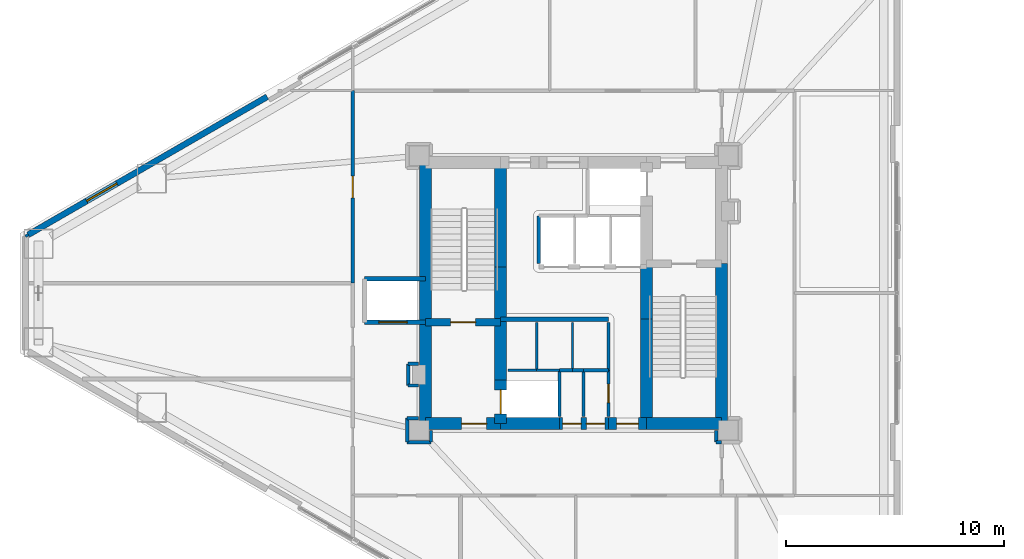
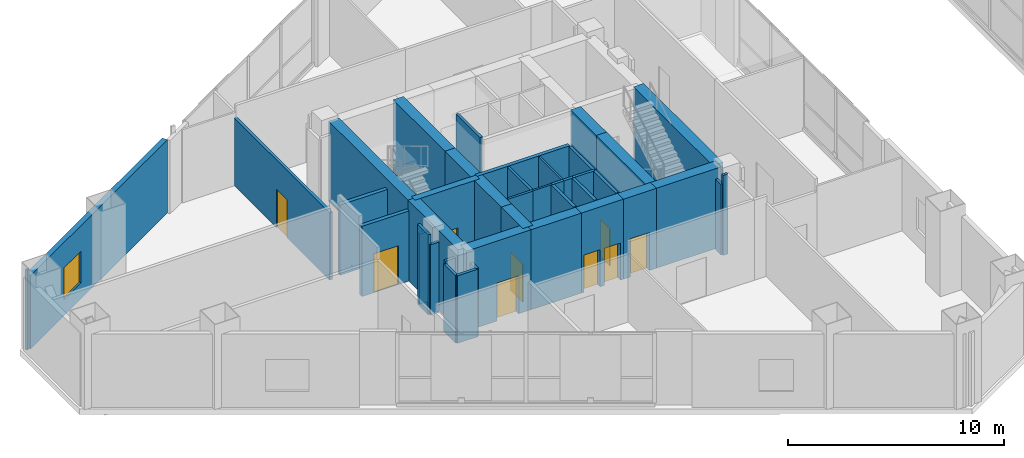
# One storey, part 21 of 27: 42 walls, 9 doors, 1 window, 10 openings.
"""IFC4 building model written with IfcOpenShell, lengths in metres."""

from ifc_helpers import new_model, si_unit, direction, frame, frame_2d, origin, place, context, subcontext, project, spatial, rectangle, extrude, material, layer, layer_set, type_object, element, fill, save


model = new_model("IFC4")

# Units and contexts
model_context = context("Model", 3, precision=1e-05, world=origin(), true_north=direction((0.0, 1.0)))
body_context = subcontext(model_context, "Body", "Model", "MODEL_VIEW")
ifc_project = project(units=[si_unit("LENGTHUNIT", "METRE"), si_unit("AREAUNIT", "SQUARE_METRE"), si_unit("VOLUMEUNIT", "CUBIC_METRE"), si_unit("PLANEANGLEUNIT", "RADIAN"), si_unit("MASSUNIT", "GRAM", prefix="KILO")], contexts=[model_context])

# Site, building, storey
site_placement = place(None, origin())
site = spatial("IfcSite", under=ifc_project, at=site_placement, CompositionType="ELEMENT")
building_placement = place(site_placement, origin())
building = spatial("IfcBuilding", under=site, at=building_placement, Name="Mersakhor Tower and Convention Hall", CompositionType="ELEMENT")
storey_placement = place(building_placement, frame((0.0, 0.0, 14.39990234375)))
storey = spatial("IfcBuildingStorey", under=building, at=storey_placement, Name="L03", CompositionType="ELEMENT", Elevation=14.39990234375)

# Wall, opening, window
ifc_material_1 = material(Name="Precast concrete C45/55", Category="concrete")
ifc_layer_1 = layer(ifc_material_1, 0.27490234375)
ifc_layer_set_1 = layer_set([ifc_layer_1], Name="Precast concrete C45/55")
wall_type_1 = type_object("IfcWallType", Name="WL-EXT-275", PredefinedType="SOLIDWALL", material=ifc_layer_set_1)
wall_1_placement = place(storey_placement, frame((3.943115234375, 29.4306640625, 0.0), z_axis=(0.0, 0.0, 1.0), x_axis=(0.866027105532, 0.499997052475, 0.0)))
wall_1 = element("IfcWall", 1, at=wall_1_placement, inside=storey, type_object=wall_type_1, Name="L03 Exterior Facade Wall F1-B1", PredefinedType="SOLIDWALL", context=body_context, shape_type="SweptSolid", body=[
    extrude(rectangle(XDim=12.6728515625, YDim=0.27490234375, at=frame_2d((6.33642578125, 0.0))), origin(), (0.0, 0.0, 1.0), 4.14013671875),
])
opening_1_placement = place(wall_1_placement, frame((3.10009765625, 0.0, 0.89990234375)))
opening_1 = element("IfcOpeningElement", 2, at=opening_1_placement, cuts=wall_1, Name="Opening W-07", PredefinedType="OPENING", context=body_context, shape_type="SweptSolid", body=[
    extrude(rectangle(XDim=1.60009765625, YDim=1.800048828125, at=frame_2d((0.800048828125, 0.89990234375))), frame((0.0, 0.1474609375, 0.0), z_axis=(0.0, -1.0, 0.0), x_axis=(1.0, 0.0, 0.0)), (0.0, 0.0, 1.0), 0.294921875),
])
ifc_material_2 = material(Name="Dark solar low-E glazed aluminium window", Category="aluminium")
window_type = type_object("IfcWindowType", Name="WN-CLN-160x180", PartitioningType="SINGLE_PANEL", PredefinedType="WINDOW", material=ifc_material_2)
window_placement = place(opening_1_placement, origin())
window = element("IfcWindow", 3, at=window_placement, inside=storey, type_object=window_type, Name="L03 Facade Punched Window F1-B1", OverallHeight=1.800048828125, OverallWidth=1.60009765625, PartitioningType="SINGLE_PANEL", PredefinedType="WINDOW", context=body_context, shape_type="SweptSolid", body=[
    extrude(rectangle(XDim=1.60009765625, YDim=1.800048828125, at=frame_2d((0.800048828125, 0.89990234375))), frame((0.0, 0.030029296875, 0.0), z_axis=(0.0, -1.0, 0.0), x_axis=(1.0, 0.0, 0.0)), (0.0, 0.0, 1.0), 0.06005859375),
])
fill(opening_1, window)

# Walls
ifc_material_3 = material(Name="Lightweight gypsum partition", Category="other")
ifc_layer_2 = layer(ifc_material_3, 0.10009765625)
ifc_layer_set_2 = layer_set([ifc_layer_2], Name="Lightweight gypsum partition")
wall_type_2 = type_object("IfcWallType", Name="WL-PRT-100", PredefinedType="PARTITIONING", material=ifc_layer_set_2)
wall_2_placement = place(storey_placement, frame((27.300048828125, 23.199951171875, 0.0), z_axis=(0.0, 0.0, 1.0), x_axis=(1.0, 0.0, 0.0)))
element("IfcWall", 4, at=wall_2_placement, inside=storey, type_object=wall_type_2, Name="L03 Interior Partition Wall P-002", PredefinedType="PARTITIONING", context=body_context, shape_type="SweptSolid", body=[
    extrude(rectangle(XDim=1.050048828125, YDim=0.10009765625, at=frame_2d((0.52490234375, 0.0))), origin(), (0.0, 0.0, 1.0), 4.52001953125),
])
wall_3_placement = place(storey_placement, frame((28.949951171875, 25.39990234375, 0.0), z_axis=(0.0, 0.0, 1.0), x_axis=(0.0, -1.0, 0.0)))
element("IfcWall", 5, at=wall_3_placement, inside=storey, type_object=wall_type_2, Name="L03 Interior Partition Wall P-008", PredefinedType="PARTITIONING", context=body_context, shape_type="SweptSolid", body=[
    extrude(rectangle(XDim=2.199951171875, YDim=0.10009765625, at=frame_2d((1.10009765625, 0.0))), origin(), (0.0, 0.0, 1.0), 4.52001953125),
])
ifc_material_4 = material(Name="Gypsum board acoustic partition", Category="other")
ifc_layer_3 = layer(ifc_material_4, 0.125)
ifc_layer_set_3 = layer_set([ifc_layer_3], Name="Gypsum board acoustic partition")
wall_type_3 = type_object("IfcWallType", Name="WL-PRT-125", PredefinedType="PARTITIONING", material=ifc_layer_set_3)
wall_4_placement = place(storey_placement, frame((25.97509765625, 23.199951171875, 0.0), z_axis=(0.0, 0.0, 1.0), x_axis=(1.0, 0.0, 0.0)))
element("IfcWall", 6, at=wall_4_placement, inside=storey, type_object=wall_type_3, Name="L03 Interior Partition Wall P-001", PredefinedType="PARTITIONING", context=body_context, shape_type="SweptSolid", body=[
    extrude(rectangle(XDim=1.324951171875, YDim=0.125, at=frame_2d((0.66259765625, 0.0))), origin(), (0.0, 0.0, 1.0), 4.52001953125),
])
wall_5_placement = place(storey_placement, frame((27.300048828125, 25.39990234375, 0.0), z_axis=(0.0, 0.0, 1.0), x_axis=(0.0, -1.0, 0.0)))
element("IfcWall", 7, at=wall_5_placement, inside=storey, type_object=wall_type_3, Name="L03 Interior Partition Wall P-007", PredefinedType="PARTITIONING", context=body_context, shape_type="SweptSolid", body=[
    extrude(rectangle(XDim=2.199951171875, YDim=0.125, at=frame_2d((1.10009765625, 0.0))), origin(), (0.0, 0.0, 1.0), 4.52001953125),
])
wall_6_placement = place(storey_placement, frame((3.81298828125, 29.35595703125, 0.0), z_axis=(0.0, 0.0, 1.0), x_axis=(0.866131372301, 0.499816412211, 0.0)))
element("IfcWall", 8, at=wall_6_placement, inside=storey, type_object=wall_type_3, Name="L03 Interior Partition Wall P-103", PredefinedType="PARTITIONING", context=body_context, shape_type="SweptSolid", body=[
    extrude(rectangle(XDim=0.14990234375, YDim=0.125, at=frame_2d((0.074951171875, 0.0))), origin(), (0.0, 0.0, 1.0), 4.52001953125),
])
ifc_material_5 = material(Name="Fire-rated gypsum board stud partition", Category="other")
ifc_layer_4 = layer(ifc_material_5, 0.14990234375)
ifc_layer_set_4 = layer_set([ifc_layer_4], Name="Fire-rated gypsum board stud partition")
wall_type_4 = type_object("IfcWallType", Name="WL-PRT-150", PredefinedType="PARTITIONING", material=ifc_layer_set_4)
wall_7_placement = place(storey_placement, frame((28.35009765625, 23.199951171875, 0.0), z_axis=(0.0, 0.0, 1.0), x_axis=(0.0, -1.0, 0.0)))
element("IfcWall", 9, at=wall_7_placement, inside=storey, type_object=wall_type_4, Name="L03 Interior Partition Wall P-003", PredefinedType="PARTITIONING", context=body_context, shape_type="SweptSolid", body=[
    extrude(rectangle(XDim=2.125, YDim=0.14990234375, at=frame_2d((1.0625, 0.0))), origin(), (0.0, 0.0, 1.0), 4.52001953125),
])
wall_8_placement = place(storey_placement, frame((28.949951171875, 23.199951171875, 0.0), z_axis=(0.0, 0.0, 1.0), x_axis=(-1.0, 0.0, 0.0)))
element("IfcWall", 10, at=wall_8_placement, inside=storey, type_object=wall_type_4, Name="L03 Interior Partition Wall P-009", PredefinedType="PARTITIONING", context=body_context, shape_type="SweptSolid", body=[
    extrude(rectangle(XDim=0.599853515625, YDim=0.14990234375, at=frame_2d((0.2998046875, 0.0))), origin(), (0.0, 0.0, 1.0), 4.52001953125),
])
wall_9_placement = place(storey_placement, frame((30.60009765625, 25.39990234375, 0.0), z_axis=(0.0, 0.0, 1.0), x_axis=(0.0, -1.0, 0.0)))
element("IfcWall", 11, at=wall_9_placement, inside=storey, type_object=wall_type_4, Name="L03 Interior Partition Wall P-010", PredefinedType="PARTITIONING", context=body_context, shape_type="SweptSolid", body=[
    extrude(rectangle(XDim=2.199951171875, YDim=0.14990234375, at=frame_2d((1.10009765625, 0.0))), origin(), (0.0, 0.0, 1.0), 4.52001953125),
])
wall_10_placement = place(storey_placement, frame((30.60009765625, 23.199951171875, 0.0), z_axis=(0.0, 0.0, 1.0), x_axis=(-1.0, 0.0, 0.0)))
element("IfcWall", 12, at=wall_10_placement, inside=storey, type_object=wall_type_4, Name="L03 Interior Partition Wall P-011", PredefinedType="PARTITIONING", context=body_context, shape_type="SweptSolid", body=[
    extrude(rectangle(XDim=1.150146484375, YDim=0.14990234375, at=frame_2d((0.5751953125, 0.0))), origin(), (0.0, 0.0, 1.0), 4.52001953125),
])
wall_11_placement = place(storey_placement, frame((29.449951171875, 23.199951171875, 0.0), z_axis=(0.0, 0.0, 1.0), x_axis=(-1.0, 0.0, 0.0)))
element("IfcWall", 13, at=wall_11_placement, inside=storey, type_object=wall_type_4, Name="L03 Interior Partition Wall P-012", PredefinedType="PARTITIONING", context=body_context, shape_type="SweptSolid", body=[
    extrude(rectangle(XDim=0.5, YDim=0.14990234375, at=frame_2d((0.25, 0.0))), origin(), (0.0, 0.0, 1.0), 4.52001953125),
])
wall_12_placement = place(storey_placement, frame((27.39990234375, 28.10009765625, 0.0), z_axis=(0.0, 0.0, 1.0), x_axis=(0.0, 1.0, 0.0)))
element("IfcWall", 14, at=wall_12_placement, inside=storey, type_object=wall_type_4, Name="L03 Interior Partition Wall P-015", PredefinedType="PARTITIONING", context=body_context, shape_type="SweptSolid", body=[
    extrude(rectangle(XDim=2.199951171875, YDim=0.14990234375, at=frame_2d((1.10009765625, 0.0))), origin(), (0.0, 0.0, 1.0), 4.52001953125),
])

# Wall, opening, door
wall_13_placement = place(storey_placement, frame((30.60009765625, 21.074951171875, 0.0), z_axis=(0.0, 0.0, 1.0), x_axis=(0.0, 1.0, 0.0)))
wall_13 = element("IfcWall", 15, at=wall_13_placement, inside=storey, type_object=wall_type_4, Name="L03 Interior Partition Wall P-018", PredefinedType="PARTITIONING", context=body_context, shape_type="SweptSolid", body=[
    extrude(rectangle(XDim=2.125, YDim=0.14990234375, at=frame_2d((1.0625, 0.0))), origin(), (0.0, 0.0, 1.0), 4.52001953125),
])
opening_2_placement = place(wall_13_placement, frame((0.637451171875, 0.0, 0.0)))
opening_2 = element("IfcOpeningElement", 16, at=opening_2_placement, cuts=wall_13, Name="Opening SVD-01", PredefinedType="OPENING", context=body_context, shape_type="SweptSolid", body=[
    extrude(rectangle(XDim=0.85009765625, YDim=2.10009765625, at=frame_2d((0.425048828125, 1.050048828125))), frame((0.0, 0.0849609375, 0.0), z_axis=(0.0, -1.0, 0.0), x_axis=(1.0, 0.0, 0.0)), (0.0, 0.0, 1.0), 0.169921875),
])
ifc_material_6 = material(Name="Fire-rated hardwood leaf and painted steel frame", Category="steel")
door_type_1 = type_object("IfcDoorType", Name="DR-INT-SVC-085x210", OperationType="NOTDEFINED", PredefinedType="DOOR", material=ifc_material_6)
door_1_placement = place(opening_2_placement, origin())
door_1 = element("IfcDoor", 17, at=door_1_placement, inside=storey, type_object=door_type_1, Name="L03 Central Passenger Lift Lobby to Core Maintenance Store Room Door", OperationType="SINGLE_SWING_RIGHT", OverallHeight=2.10009765625, OverallWidth=0.85009765625, PredefinedType="DOOR", context=body_context, shape_type="SweptSolid", body=[
    extrude(rectangle(XDim=0.85009765625, YDim=2.10009765625, at=frame_2d((0.425048828125, 1.050048828125))), frame((0.0, 0.02490234375, 0.0), z_axis=(0.0, -1.0, 0.0), x_axis=(1.0, 0.0, 0.0)), (0.0, 0.0, 1.0), 0.050048828125),
])
fill(opening_2, door_1)

# Walls
wall_14_placement = place(storey_placement, frame((21.875, 21.0, 0.0), z_axis=(0.0, 0.0, 1.0), x_axis=(-1.0, 0.0, 0.0)))
element("IfcWall", 18, at=wall_14_placement, inside=storey, type_object=wall_type_4, Name="L03 Interior Partition Wall P-036", PredefinedType="PARTITIONING", context=body_context, shape_type="SweptSolid", body=[
    extrude(rectangle(XDim=0.52490234375, YDim=0.14990234375, at=frame_2d((0.262451171875, 0.0))), origin(), (0.0, 0.0, 1.0), 3.968505859375),
])
wall_15_placement = place(storey_placement, frame((21.35009765625, 21.0, 0.0), z_axis=(0.0, 0.0, 1.0), x_axis=(0.0, -1.0, 0.0)))
element("IfcWall", 19, at=wall_15_placement, inside=storey, type_object=wall_type_4, Name="L03 Interior Partition Wall P-037", PredefinedType="PARTITIONING", context=body_context, shape_type="SweptSolid", body=[
    extrude(rectangle(XDim=1.10009765625, YDim=0.14990234375, at=frame_2d((0.550048828125, 0.0))), origin(), (0.0, 0.0, 1.0), 3.817626953125),
])
wall_16_placement = place(storey_placement, frame((21.35009765625, 19.89990234375, 0.0), z_axis=(0.0, 0.0, 1.0), x_axis=(1.0, 0.0, 0.0)))
element("IfcWall", 20, at=wall_16_placement, inside=storey, type_object=wall_type_4, Name="L03 Interior Partition Wall P-038", PredefinedType="PARTITIONING", context=body_context, shape_type="SweptSolid", body=[
    extrude(rectangle(XDim=1.099853515625, YDim=0.14990234375, at=frame_2d((0.5498046875, 0.0))), origin(), (0.0, 0.0, 1.0), 3.817626953125),
])
wall_17_placement = place(storey_placement, frame((22.449951171875, 19.89990234375, 0.0), z_axis=(0.0, 0.0, 1.0), x_axis=(0.0, 1.0, 0.0)))
element("IfcWall", 21, at=wall_17_placement, inside=storey, type_object=wall_type_4, Name="L03 Interior Partition Wall P-039", PredefinedType="PARTITIONING", context=body_context, shape_type="SweptSolid", body=[
    extrude(rectangle(XDim=0.525146484375, YDim=0.14990234375, at=frame_2d((0.2626953125, 0.0))), origin(), (0.0, 0.0, 1.0), 3.817626953125),
])
wall_18_placement = place(storey_placement, frame((35.550048828125, 20.425048828125, 0.0), z_axis=(0.0, 0.0, 1.0), x_axis=(0.0, -1.0, 0.0)))
element("IfcWall", 22, at=wall_18_placement, inside=storey, type_object=wall_type_4, Name="L03 Interior Partition Wall P-040", PredefinedType="PARTITIONING", context=body_context, shape_type="SweptSolid", body=[
    extrude(rectangle(XDim=0.525146484375, YDim=0.14990234375, at=frame_2d((0.2626953125, 0.0))), origin(), (0.0, 0.0, 1.0), 3.968505859375),
])
wall_19_placement = place(storey_placement, frame((35.550048828125, 19.89990234375, 0.0), z_axis=(0.0, 0.0, 1.0), x_axis=(1.0, 0.0, 0.0)))
element("IfcWall", 23, at=wall_19_placement, inside=storey, type_object=wall_type_4, Name="L03 Interior Partition Wall P-041", PredefinedType="PARTITIONING", context=body_context, shape_type="SweptSolid", body=[
    extrude(rectangle(XDim=0.25, YDim=0.14990234375, at=frame_2d((0.125, 0.0))), origin(), (0.0, 0.0, 1.0), 4.52001953125),
])

# Wall, opening, door
wall_20_placement = place(storey_placement, frame((18.85009765625, 27.199951171875, 0.0), z_axis=(0.0, 0.0, 1.0), x_axis=(0.0, 1.0, 0.0)))
wall_20 = element("IfcWall", 24, at=wall_20_placement, inside=storey, type_object=wall_type_4, Name="L03 Interior Partition Wall P-048", PredefinedType="PARTITIONING", context=body_context, shape_type="SweptSolid", body=[
    extrude(rectangle(XDim=8.85009765625, YDim=0.14990234375, at=frame_2d((4.425048828125, 0.0))), origin(), (0.0, 0.0, 1.0), 3.817626953125),
])
opening_3_placement = place(wall_20_placement, frame((3.925048828125, 0.0, 0.0)))
opening_3 = element("IfcOpeningElement", 25, at=opening_3_placement, cuts=wall_20, Name="Opening FD-01", PredefinedType="OPENING", context=body_context, shape_type="SweptSolid", body=[
    extrude(rectangle(XDim=1.0, YDim=2.14990234375, at=frame_2d((0.5, 1.074951171875))), frame((0.0, 0.0849609375, 0.0), z_axis=(0.0, -1.0, 0.0), x_axis=(1.0, 0.0, 0.0)), (0.0, 0.0, 1.0), 0.169921875),
])
ifc_material_7 = material(Name="Fire-rated hardwood leaf and painted steel frame", Category="steel")
door_type_2 = type_object("IfcDoorType", Name="DR-INT-FLT-100x215", OperationType="NOTDEFINED", PredefinedType="DOOR", material=ifc_material_7)
door_2_placement = place(opening_3_placement, origin())
door_2 = element("IfcDoor", 26, at=door_2_placement, inside=storey, type_object=door_type_2, Name="L03 L03 Primary Healthcare Clinical Corridor to Medical Records Administration Office Door", OperationType="SINGLE_SWING_LEFT", OverallHeight=2.14990234375, OverallWidth=1.0, PredefinedType="DOOR", context=body_context, shape_type="SweptSolid", body=[
    extrude(rectangle(XDim=1.0, YDim=2.14990234375, at=frame_2d((0.5, 1.074951171875))), frame((0.0, 0.02490234375, 0.0), z_axis=(0.0, -1.0, 0.0), x_axis=(1.0, 0.0, 0.0)), (0.0, 0.0, 1.0), 0.050048828125),
])
fill(opening_3, door_2)

# Walls
wall_21_placement = place(storey_placement, frame((21.875, 23.5, 0.0), z_axis=(0.0, 0.0, 1.0), x_axis=(-1.0, 0.0, 0.0)))
element("IfcWall", 27, at=wall_21_placement, inside=storey, type_object=wall_type_4, Name="L03 Interior Partition Wall P-059", PredefinedType="PARTITIONING", context=body_context, shape_type="SweptSolid", body=[
    extrude(rectangle(XDim=0.47509765625, YDim=0.14990234375, at=frame_2d((0.237548828125, 0.0))), origin(), (0.0, 0.0, 1.0), 3.968505859375),
])
wall_22_placement = place(storey_placement, frame((21.39990234375, 23.5, 0.0), z_axis=(0.0, 0.0, 1.0), x_axis=(0.0, -1.0, 0.0)))
element("IfcWall", 28, at=wall_22_placement, inside=storey, type_object=wall_type_4, Name="L03 Interior Partition Wall P-060", PredefinedType="PARTITIONING", context=body_context, shape_type="SweptSolid", body=[
    extrude(rectangle(XDim=1.0, YDim=0.14990234375, at=frame_2d((0.5, 0.0))), origin(), (0.0, 0.0, 1.0), 4.52001953125),
])
wall_23_placement = place(storey_placement, frame((21.39990234375, 22.5, 0.0), z_axis=(0.0, 0.0, 1.0), x_axis=(1.0, 0.0, 0.0)))
element("IfcWall", 29, at=wall_23_placement, inside=storey, type_object=wall_type_4, Name="L03 Interior Partition Wall P-061", PredefinedType="PARTITIONING", context=body_context, shape_type="SweptSolid", body=[
    extrude(rectangle(XDim=0.47509765625, YDim=0.14990234375, at=frame_2d((0.237548828125, 0.0))), origin(), (0.0, 0.0, 1.0), 3.968505859375),
])
wall_24_placement = place(storey_placement, frame((29.449951171875, 23.199951171875, 0.0), z_axis=(0.0, 0.0, 1.0), x_axis=(0.0, -1.0, 0.0)))
element("IfcWall", 30, at=wall_24_placement, inside=storey, type_object=wall_type_4, Name="L03 Interior Partition Wall P-083", PredefinedType="PARTITIONING", context=body_context, shape_type="SweptSolid", body=[
    extrude(rectangle(XDim=2.125, YDim=0.14990234375, at=frame_2d((1.0625, 0.0))), origin(), (0.0, 0.0, 1.0), 4.52001953125),
])
ifc_material_8 = material(Name="Acoustic concrete blockwork and gypsum board", Category="masonry")
ifc_layer_5 = layer(ifc_material_8, 0.199951171875)
ifc_layer_set_5 = layer_set([ifc_layer_5], Name="Acoustic concrete blockwork and gypsum board")
wall_type_5 = type_object("IfcWallType", Name="WL-PRT-200", PredefinedType="PARTITIONING", material=ifc_layer_set_5)
wall_25_placement = place(storey_placement, frame((25.64990234375, 25.550048828125, 0.0), z_axis=(0.0, 0.0, 1.0), x_axis=(1.0, 0.0, 0.0)))
element("IfcWall", 31, at=wall_25_placement, inside=storey, type_object=wall_type_5, Name="L03 High-Rise Lift Bank Front Wall", PredefinedType="PARTITIONING", context=body_context, shape_type="SweptSolid", body=[
    extrude(rectangle(XDim=4.9501953125, YDim=0.199951171875, at=frame_2d((2.47509765625, 0.0))), origin(), (0.0, 0.0, 1.0), 4.52001953125),
])
wall_26_placement = place(storey_placement, frame((19.39990234375, 27.39990234375, 0.0), z_axis=(0.0, 0.0, 1.0), x_axis=(1.0, 0.0, 0.0)))
element("IfcWall", 32, at=wall_26_placement, inside=storey, type_object=wall_type_5, Name="L03 Clinic Lift North Wall", PredefinedType="PARTITIONING", context=body_context, shape_type="SweptSolid", body=[
    extrude(rectangle(XDim=2.800048828125, YDim=0.199951171875, at=frame_2d((1.39990234375, 0.0))), origin(), (0.0, 0.0, 1.0), 3.968505859375),
])

# Wall, opening, door
wall_27_placement = place(storey_placement, frame((22.199951171875, 25.39990234375, 0.0), z_axis=(0.0, 0.0, 1.0), x_axis=(-1.0, 0.0, 0.0)))
wall_27 = element("IfcWall", 33, at=wall_27_placement, inside=storey, type_object=wall_type_5, Name="L03 Clinic Lift Front Wall", PredefinedType="PARTITIONING", context=body_context, shape_type="SweptSolid", body=[
    extrude(rectangle(XDim=2.800048828125, YDim=0.199951171875, at=frame_2d((1.39990234375, 0.0))), origin(), (0.0, 0.0, 1.0), 3.968505859375),
])
opening_4_placement = place(wall_27_placement, frame((0.85009765625, 0.0, 0.0)))
opening_4 = element("IfcOpeningElement", 34, at=opening_4_placement, cuts=wall_27, Name="Opening LD-CL1", PredefinedType="OPENING", context=body_context, shape_type="SweptSolid", body=[
    extrude(rectangle(XDim=1.300048828125, YDim=2.199951171875, at=frame_2d((0.64990234375, 1.10009765625))), frame((0.0, 0.10986328125, 0.0), z_axis=(0.0, -1.0, 0.0), x_axis=(1.0, 0.0, 0.0)), (0.0, 0.0, 1.0), 0.219970703125),
])
ifc_material_9 = material(Name="Fire-rated brushed stainless steel sliding landing door", Category="steel")
door_type_3 = type_object("IfcDoorType", Name="DR-LIFT-SLD-130x220", OperationType="NOTDEFINED", PredefinedType="DOOR", material=ifc_material_9)
door_3_placement = place(opening_4_placement, origin())
door_3 = element("IfcDoor", 35, at=door_3_placement, inside=storey, type_object=door_type_3, Name="L03 Clinic Stretcher Lift Landing Door LD-CL1", OperationType="SLIDING_TO_LEFT", OverallHeight=2.199951171875, OverallWidth=1.300048828125, PredefinedType="DOOR", context=body_context, shape_type="SweptSolid", body=[
    extrude(rectangle(XDim=1.300048828125, YDim=2.199951171875, at=frame_2d((0.64990234375, 1.10009765625))), frame((0.0, 0.02490234375, 0.0), z_axis=(0.0, -1.0, 0.0), x_axis=(1.0, 0.0, 0.0)), (0.0, 0.0, 1.0), 0.050048828125),
])
fill(opening_4, door_3)

ifc_material_10 = material(Name="Concrete C50/60", Category="concrete")
ifc_layer_6 = layer(ifc_material_10, 0.35009765625)
ifc_layer_set_6 = layer_set([ifc_layer_6], Name="Concrete C50/60")
wall_type_6 = type_object("IfcWallType", Name="WL-SHR-350", PredefinedType="SHEAR", material=ifc_layer_set_6)
wall_28_placement = place(storey_placement, frame((22.199951171875, 25.39990234375, 0.0), z_axis=(0.0, 0.0, 1.0), x_axis=(1.0, 0.0, 0.0)))
wall_28 = element("IfcWall", 36, at=wall_28_placement, inside=storey, type_object=wall_type_6, Name="L03 Core Wall CS-ST1-S", PredefinedType="SHEAR", context=body_context, shape_type="SweptSolid", body=[
    extrude(rectangle(XDim=3.449951171875, YDim=0.35009765625, at=frame_2d((1.72509765625, 0.0))), origin(), (0.0, 0.0, 1.0), 4.52001953125),
])
opening_5_placement = place(wall_28_placement, frame((1.14990234375, 0.0, 0.0)))
opening_5 = element("IfcOpeningElement", 37, at=opening_5_placement, cuts=wall_28, Name="Opening SD-01", PredefinedType="OPENING", context=body_context, shape_type="SweptSolid", body=[
    extrude(rectangle(XDim=1.14990234375, YDim=2.14990234375, at=frame_2d((0.574951171875, 1.074951171875))), frame((0.0, 0.18505859375, 0.0), z_axis=(0.0, -1.0, 0.0), x_axis=(1.0, 0.0, 0.0)), (0.0, 0.0, 1.0), 0.3701171875),
])
ifc_material_11 = material(Name="Fire-rated hardwood leaf and painted steel frame", Category="steel")
door_type_4 = type_object("IfcDoorType", Name="DR-INT-STAIR-115x215", OperationType="NOTDEFINED", PredefinedType="DOOR", material=ifc_material_11)
door_4_placement = place(opening_5_placement, origin())
door_4 = element("IfcDoor", 38, at=door_4_placement, inside=storey, type_object=door_type_4, Name="L03 Exit Stair ST-1 Enclosure Door", OperationType="SINGLE_SWING_LEFT", OverallHeight=2.14990234375, OverallWidth=1.14990234375, PredefinedType="DOOR", context=body_context, shape_type="SweptSolid", body=[
    extrude(rectangle(XDim=1.14990234375, YDim=2.14990234375, at=frame_2d((0.574951171875, 1.074951171875))), frame((0.0, 0.02490234375, 0.0), z_axis=(0.0, -1.0, 0.0), x_axis=(1.0, 0.0, 0.0)), (0.0, 0.0, 1.0), 0.050048828125),
])
fill(opening_5, door_4)

# Walls
ifc_material_12 = material(Name="Concrete C70/85", Category="concrete")
ifc_layer_7 = layer(ifc_material_12, 0.550048828125)
ifc_layer_set_7 = layer_set([ifc_layer_7], Name="Concrete C70/85")
wall_type_7 = type_object("IfcWallType", Name="WL-SHR-550", PredefinedType="SHEAR", material=ifc_layer_set_7)
wall_29_placement = place(storey_placement, frame((22.199951171875, 20.75, 0.0), z_axis=(0.0, 0.0, 1.0), x_axis=(0.0, 1.0, 0.0)))
element("IfcWall", 39, at=wall_29_placement, inside=storey, type_object=wall_type_7, Name="L03 Core Wall CW-W1", PredefinedType="SHEAR", context=body_context, shape_type="SweptSolid", body=[
    extrude(rectangle(XDim=4.64990234375, YDim=0.550048828125, at=frame_2d((2.324951171875, 0.0))), origin(), (0.0, 0.0, 1.0), 4.52001953125),
])
for number, where, z_axis, x_axis, name in (
    (40, (22.199951171875, 25.39990234375, 0.0), (0.0, 0.0, 1.0), (0.0, 1.0, 0.0), "L03 Core Wall CW-W2"),
    (41, (35.800048828125, 28.10009765625, 0.0), (0.0, 0.0, 1.0), (0.0, -1.0, 0.0), "L03 Core Wall CW-E2"),
):
    element("IfcWall", number, at=place(storey_placement, frame(where, z_axis=z_axis, x_axis=x_axis)), inside=storey, type_object=wall_type_7, Name=name, PredefinedType="SHEAR", context=body_context, shape_type="SweptSolid", body=[
        extrude(rectangle(XDim=7.35009765625, YDim=0.550048828125, at=frame_2d((3.675048828125, 0.0))), origin(), (0.0, 0.0, 1.0), 4.52001953125),
    ])
wall_30_placement = place(storey_placement, frame((35.800048828125, 20.75, 0.0), z_axis=(0.0, 0.0, 1.0), x_axis=(-1.0, 0.0, 0.0)))
element("IfcWall", 42, at=wall_30_placement, inside=storey, type_object=wall_type_7, Name="L03 Core Wall CW-S1", PredefinedType="SHEAR", context=body_context, shape_type="SweptSolid", body=[
    extrude(rectangle(XDim=3.449951171875, YDim=0.550048828125, at=frame_2d((1.72509765625, 0.0))), origin(), (0.0, 0.0, 1.0), 4.52001953125),
])

# Wall, opening, door
wall_31_placement = place(storey_placement, frame((32.35009765625, 20.75, 0.0), z_axis=(0.0, 0.0, 1.0), x_axis=(-1.0, 0.0, 0.0)))
wall_31 = element("IfcWall", 43, at=wall_31_placement, inside=storey, type_object=wall_type_7, Name="L03 Core Wall CW-S2A", PredefinedType="SHEAR", context=body_context, shape_type="SweptSolid", body=[
    extrude(rectangle(XDim=1.75, YDim=0.550048828125, at=frame_2d((0.875, 0.0))), origin(), (0.0, 0.0, 1.0), 4.52001953125),
])
opening_6_placement = place(wall_31_placement, frame((0.375, 0.0, 0.0)))
opening_6 = element("IfcOpeningElement", 44, at=opening_6_placement, cuts=wall_31, Name="Opening CFD-01", PredefinedType="OPENING", context=body_context, shape_type="SweptSolid", body=[
    extrude(rectangle(XDim=1.0, YDim=2.14990234375, at=frame_2d((0.5, 1.074951171875))), frame((0.0, 0.284912109375, 0.0), z_axis=(0.0, -1.0, 0.0), x_axis=(1.0, 0.0, 0.0)), (0.0, 0.0, 1.0), 0.570068359375),
])
ifc_material_13 = material(Name="Fire-rated hardwood leaf and painted steel frame", Category="steel")
door_type_5 = type_object("IfcDoorType", Name="DR-CORE-FD-100x215", OperationType="NOTDEFINED", PredefinedType="DOOR", material=ifc_material_13)
door_5_placement = place(opening_6_placement, origin())
door_5 = element("IfcDoor", 45, at=door_5_placement, inside=storey, type_object=door_type_5, Name="L03 Lift Lobby South Corridor Door", OperationType="SINGLE_SWING_RIGHT", OverallHeight=2.14990234375, OverallWidth=1.0, PredefinedType="DOOR", context=body_context, shape_type="SweptSolid", body=[
    extrude(rectangle(XDim=1.0, YDim=2.14990234375, at=frame_2d((0.5, 1.074951171875))), frame((0.0, 0.02490234375, 0.0), z_axis=(0.0, -1.0, 0.0), x_axis=(1.0, 0.0, 0.0)), (0.0, 0.0, 1.0), 0.050048828125),
])
fill(opening_6, door_5)

# Wall, openings, doors
wall_32_placement = place(storey_placement, frame((30.60009765625, 20.75, 0.0), z_axis=(0.0, 0.0, 1.0), x_axis=(-1.0, 0.0, 0.0)))
wall_32 = element("IfcWall", 46, at=wall_32_placement, inside=storey, type_object=wall_type_7, Name="L03 Core Wall CW-S2B", PredefinedType="SHEAR", context=body_context, shape_type="SweptSolid", body=[
    extrude(rectangle(XDim=2.25, YDim=0.550048828125, at=frame_2d((1.125, 0.0))), origin(), (0.0, 0.0, 1.0), 4.52001953125),
])
opening_7_placement = place(wall_32_placement, frame((1.2548828125, 0.0, 0.0)))
opening_7 = element("IfcOpeningElement", 47, at=opening_7_placement, cuts=wall_32, Name="Opening SVD-01", PredefinedType="OPENING", context=body_context, shape_type="SweptSolid", body=[
    extrude(rectangle(XDim=0.85009765625, YDim=2.10009765625, at=frame_2d((0.425048828125, 1.050048828125))), frame((0.0, 0.284912109375, 0.0), z_axis=(0.0, -1.0, 0.0), x_axis=(1.0, 0.0, 0.0)), (0.0, 0.0, 1.0), 0.570068359375),
])
opening_8_placement = place(wall_32_placement, frame((0.169921875, 0.0, 0.0)))
opening_8 = element("IfcOpeningElement", 48, at=opening_8_placement, cuts=wall_32, Name="Opening SVD-01", PredefinedType="OPENING", context=body_context, shape_type="SweptSolid", body=[
    extrude(rectangle(XDim=0.85009765625, YDim=2.10009765625, at=frame_2d((0.425048828125, 1.050048828125))), frame((0.0, 0.284912109375, 0.0), z_axis=(0.0, -1.0, 0.0), x_axis=(1.0, 0.0, 0.0)), (0.0, 0.0, 1.0), 0.570068359375),
])
door_6_placement = place(opening_7_placement, origin())
door_6 = element("IfcDoor", 49, at=door_6_placement, inside=storey, type_object=door_type_1, Name="L03 L03 Primary Healthcare Clinical Corridor to Sub-Metering Switch Room Door", OperationType="SINGLE_SWING_RIGHT", OverallHeight=2.10009765625, OverallWidth=0.85009765625, PredefinedType="DOOR", context=body_context, shape_type="SweptSolid", body=[
    extrude(rectangle(XDim=0.85009765625, YDim=2.10009765625, at=frame_2d((0.425048828125, 1.050048828125))), frame((0.0, 0.02490234375, 0.0), z_axis=(0.0, -1.0, 0.0), x_axis=(1.0, 0.0, 0.0)), (0.0, 0.0, 1.0), 0.050048828125),
])
fill(opening_7, door_6)
door_7_placement = place(opening_8_placement, origin())
door_7 = element("IfcDoor", 50, at=door_7_placement, inside=storey, type_object=door_type_1, Name="L03 L03 Primary Healthcare Clinical Corridor to Core Maintenance Store Room Door", OperationType="SINGLE_SWING_LEFT", OverallHeight=2.10009765625, OverallWidth=0.85009765625, PredefinedType="DOOR", context=body_context, shape_type="SweptSolid", body=[
    extrude(rectangle(XDim=0.85009765625, YDim=2.10009765625, at=frame_2d((0.425048828125, 1.050048828125))), frame((0.0, 0.02490234375, 0.0), z_axis=(0.0, -1.0, 0.0), x_axis=(1.0, 0.0, 0.0)), (0.0, 0.0, 1.0), 0.050048828125),
])
fill(opening_8, door_7)

# Wall
wall_33_placement = place(storey_placement, frame((28.35009765625, 20.75, 0.0), z_axis=(0.0, 0.0, 1.0), x_axis=(-1.0, 0.0, 0.0)))
element("IfcWall", 51, at=wall_33_placement, inside=storey, type_object=wall_type_7, Name="L03 Core Wall CW-S3", PredefinedType="SHEAR", context=body_context, shape_type="SweptSolid", body=[
    extrude(rectangle(XDim=2.7001953125, YDim=0.550048828125, at=frame_2d((1.35009765625, 0.0))), origin(), (0.0, 0.0, 1.0), 4.52001953125),
])

# Wall, opening, door
wall_34_placement = place(storey_placement, frame((25.64990234375, 20.75, 0.0), z_axis=(0.0, 0.0, 1.0), x_axis=(-1.0, 0.0, 0.0)))
wall_34 = element("IfcWall", 52, at=wall_34_placement, inside=storey, type_object=wall_type_7, Name="L03 Core Wall CW-S4", PredefinedType="SHEAR", context=body_context, shape_type="SweptSolid", body=[
    extrude(rectangle(XDim=3.449951171875, YDim=0.550048828125, at=frame_2d((1.72509765625, 0.0))), origin(), (0.0, 0.0, 1.0), 4.52001953125),
])
opening_9_placement = place(wall_34_placement, frame((0.64990234375, 0.0, 0.0)))
opening_9 = element("IfcOpeningElement", 53, at=opening_9_placement, cuts=wall_34, Name="Opening SD-01", PredefinedType="OPENING", context=body_context, shape_type="SweptSolid", body=[
    extrude(rectangle(XDim=1.14990234375, YDim=2.14990234375, at=frame_2d((0.574951171875, 1.074951171875))), frame((0.0, 0.284912109375, 0.0), z_axis=(0.0, -1.0, 0.0), x_axis=(1.0, 0.0, 0.0)), (0.0, 0.0, 1.0), 0.570068359375),
])
door_8_placement = place(opening_9_placement, origin())
door_8 = element("IfcDoor", 54, at=door_8_placement, inside=storey, type_object=door_type_4, Name="L03 Firefighting Lobby West Fire Door", OperationType="SINGLE_SWING_LEFT", OverallHeight=2.14990234375, OverallWidth=1.14990234375, PredefinedType="DOOR", context=body_context, shape_type="SweptSolid", body=[
    extrude(rectangle(XDim=1.14990234375, YDim=2.14990234375, at=frame_2d((0.574951171875, 1.074951171875))), frame((0.0, 0.02490234375, 0.0), z_axis=(0.0, -1.0, 0.0), x_axis=(1.0, 0.0, 0.0)), (0.0, 0.0, 1.0), 0.050048828125),
])
fill(opening_9, door_8)

wall_35_placement = place(storey_placement, frame((25.64990234375, 20.75, 0.0), z_axis=(0.0, 0.0, 1.0), x_axis=(0.0, 1.0, 0.0)))
wall_35 = element("IfcWall", 55, at=wall_35_placement, inside=storey, type_object=wall_type_7, Name="L03 Core Wall CS-W-FFL", PredefinedType="SHEAR", context=body_context, shape_type="SweptSolid", body=[
    extrude(rectangle(XDim=2.0, YDim=0.550048828125, at=frame_2d((1.0, 0.0))), origin(), (0.0, 0.0, 1.0), 4.52001953125),
])
opening_10_placement = place(wall_35_placement, frame((0.449951171875, 0.0, 0.0)))
opening_10 = element("IfcOpeningElement", 56, at=opening_10_placement, cuts=wall_35, Name="Opening LD-FFL1", PredefinedType="OPENING", context=body_context, shape_type="SweptSolid", body=[
    extrude(rectangle(XDim=1.10009765625, YDim=2.14990234375, at=frame_2d((0.550048828125, 1.074951171875))), frame((0.0, 0.284912109375, 0.0), z_axis=(0.0, -1.0, 0.0), x_axis=(1.0, 0.0, 0.0)), (0.0, 0.0, 1.0), 0.570068359375),
])
ifc_material_14 = material(Name="Fire-rated brushed stainless steel sliding landing door", Category="steel")
door_type_6 = type_object("IfcDoorType", Name="DR-LIFT-SLD-110x215", OperationType="NOTDEFINED", PredefinedType="DOOR", material=ifc_material_14)
door_9_placement = place(opening_10_placement, origin())
door_9 = element("IfcDoor", 57, at=door_9_placement, inside=storey, type_object=door_type_6, Name="L03 Firefighting Lift Landing Door LD-FFL1", OperationType="SLIDING_TO_LEFT", OverallHeight=2.14990234375, OverallWidth=1.10009765625, PredefinedType="DOOR", context=body_context, shape_type="SweptSolid", body=[
    extrude(rectangle(XDim=1.10009765625, YDim=2.14990234375, at=frame_2d((0.550048828125, 1.074951171875))), frame((0.0, 0.02490234375, 0.0), z_axis=(0.0, -1.0, 0.0), x_axis=(1.0, 0.0, 0.0)), (0.0, 0.0, 1.0), 0.050048828125),
])
fill(opening_10, door_9)

# Walls
wall_36_placement = place(storey_placement, frame((25.64990234375, 22.75, 0.0), z_axis=(0.0, 0.0, 1.0), x_axis=(0.0, 1.0, 0.0)))
element("IfcWall", 58, at=wall_36_placement, inside=storey, type_object=wall_type_7, Name="L03 Core Wall CS-W-MID", PredefinedType="SHEAR", context=body_context, shape_type="SweptSolid", body=[
    extrude(rectangle(XDim=2.800048828125, YDim=0.550048828125, at=frame_2d((1.39990234375, 0.0))), origin(), (0.0, 0.0, 1.0), 4.52001953125),
])
wall_37_placement = place(storey_placement, frame((25.64990234375, 25.550048828125, 0.0), z_axis=(0.0, 0.0, 1.0), x_axis=(0.0, 1.0, 0.0)))
element("IfcWall", 59, at=wall_37_placement, inside=storey, type_object=wall_type_7, Name="L03 Core Wall CS-W-LOB", PredefinedType="SHEAR", context=body_context, shape_type="SweptSolid", body=[
    extrude(rectangle(XDim=2.39990234375, YDim=0.550048828125, at=frame_2d((1.199951171875, 0.0))), origin(), (0.0, 0.0, 1.0), 4.52001953125),
])
for number, where, z_axis, x_axis, name in (
    (60, (25.64990234375, 27.949951171875, 0.0), (0.0, 0.0, 1.0), (0.0, 1.0, 0.0), "L03 Core Wall CS-W-ST1"),
    (61, (32.35009765625, 20.75, 0.0), (0.0, 0.0, 1.0), (0.0, 1.0, 0.0), "L03 Core Wall CS-E-ST2"),
):
    element("IfcWall", number, at=place(storey_placement, frame(where, z_axis=z_axis, x_axis=x_axis)), inside=storey, type_object=wall_type_7, Name=name, PredefinedType="SHEAR", context=body_context, shape_type="SweptSolid", body=[
        extrude(rectangle(XDim=4.800048828125, YDim=0.550048828125, at=frame_2d((2.39990234375, 0.0))), origin(), (0.0, 0.0, 1.0), 4.52001953125),
    ])
wall_38_placement = place(storey_placement, frame((32.35009765625, 25.550048828125, 0.0), z_axis=(0.0, 0.0, 1.0), x_axis=(0.0, 1.0, 0.0)))
element("IfcWall", 62, at=wall_38_placement, inside=storey, type_object=wall_type_7, Name="L03 Core Wall CS-E-LOB", PredefinedType="SHEAR", context=body_context, shape_type="SweptSolid", body=[
    extrude(rectangle(XDim=2.39990234375, YDim=0.550048828125, at=frame_2d((1.199951171875, 0.0))), origin(), (0.0, 0.0, 1.0), 4.52001953125),
])

save(model, "model.ifc")
